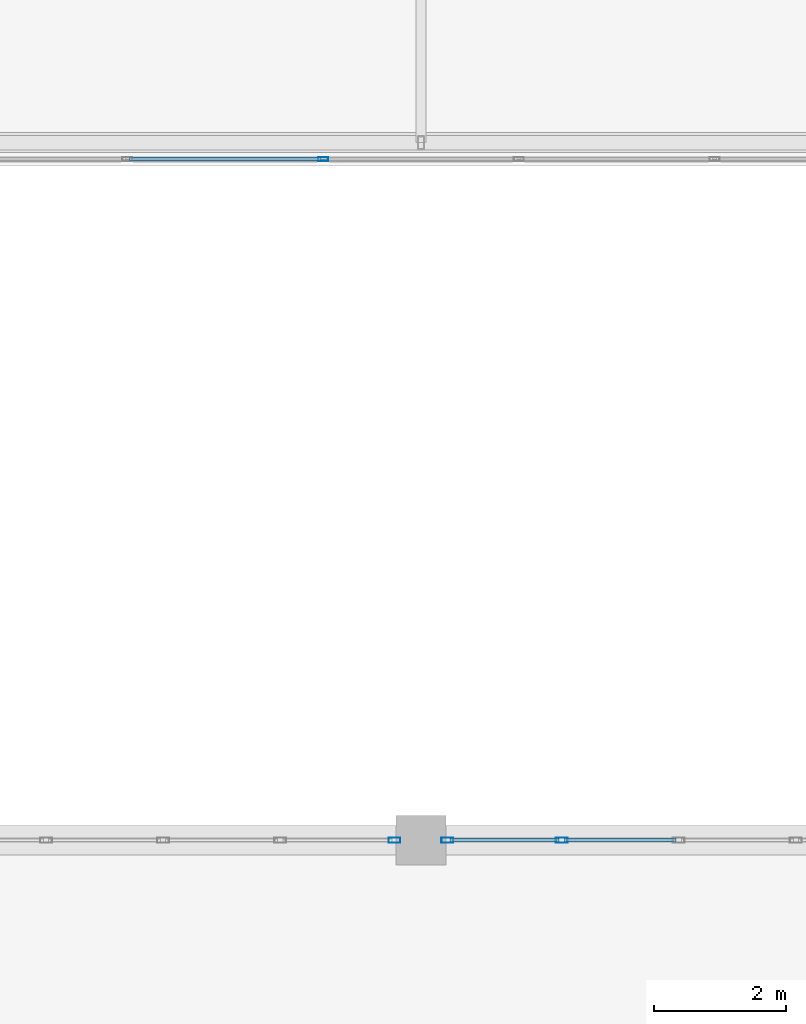
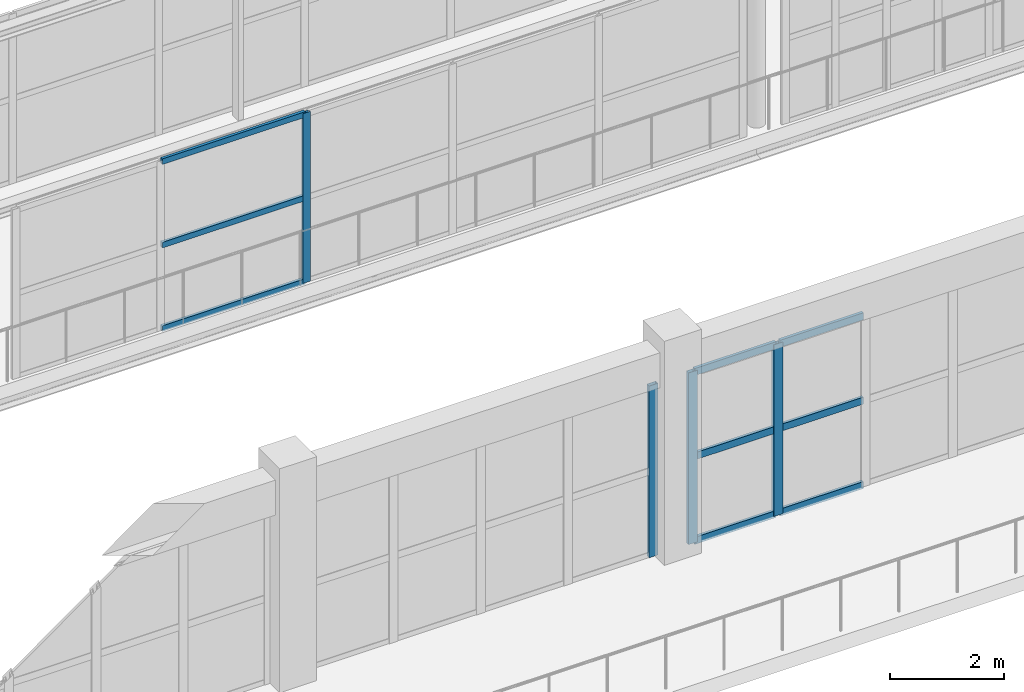
# One storey, part 51 of 175: 13 members, 3 elements without a shape of their own.
"""IFC4 building model written with IfcOpenShell, lengths in metres."""

from ifc_helpers import new_model, si_unit, direction, frame, origin, origin_2d, place, context, subcontext, project, spatial, hollow_rectangle, extrude, material, layer, layer_set, material_profile, profile_set, type_object, element, aggregate, save


model = new_model("IFC4")

# Units and contexts
model_context = context("Model", 3, precision=1e-05, world=origin(), true_north=direction((0.0, 1.0)))
body_context = subcontext(model_context, "Body", "Model", "MODEL_VIEW")
ifc_project = project(units=[si_unit("LENGTHUNIT", "METRE"), si_unit("AREAUNIT", "SQUARE_METRE"), si_unit("VOLUMEUNIT", "CUBIC_METRE"), si_unit("PLANEANGLEUNIT", "RADIAN"), si_unit("MASSUNIT", "GRAM", prefix="KILO")], contexts=[model_context])

# Site, building, storey
site_placement = place(None, origin())
site = spatial("IfcSite", under=ifc_project, at=site_placement, CompositionType="ELEMENT")
building_placement = place(site_placement, origin())
building = spatial("IfcBuilding", under=site, at=building_placement, Name="Zizhar Promenade General Hospital", CompositionType="ELEMENT")
storey_placement = place(building_placement, frame((0.0, 0.0, 4.800048828125)))
storey = spatial("IfcBuildingStorey", under=building, at=storey_placement, Name="L01", CompositionType="ELEMENT", Elevation=4.800048828125)

# Curtain wall, member
ifc_material_1 = material(Name="Anodised aluminium 6063-T6 and low-E glass", Category="aluminium")
ifc_layer_1 = layer(ifc_material_1, 0.159912109375)
ifc_layer_set_1 = layer_set([ifc_layer_1], Name="Anodised aluminium 6063-T6 and low-E glass")
curtain_wall_type_1 = type_object("IfcCurtainWallType", Name="CW-SKY-GLZ", PredefinedType="NOTDEFINED", material=ifc_layer_set_1)
curtain_wall_1_placement = place(storey_placement, origin())
curtain_wall_1 = element("IfcCurtainWall", 1, at=curtain_wall_1_placement, inside=storey, type_object=curtain_wall_type_1, Name="Courtyard Clinical Skybridge Level L01 South Glazing 3", PredefinedType="NOTDEFINED")
ifc_material_2 = material(Name="Anodised aluminium 6063-T6", Category="aluminium")
ifc_material_profile_1 = material_profile(ifc_material_2, hollow_rectangle(XDim=0.06005859375, YDim=0.14990234375, WallThickness=0.00390625, at=origin_2d()))
ifc_profile_set_1 = profile_set([ifc_material_profile_1], Name="Anodised aluminium 6063-T6")
member_type_1 = type_object("IfcMemberType", Name="CWM-ALU-150x60", PredefinedType="MULLION", material=ifc_profile_set_1)
member_1_placement = place(storey_placement, frame((107.719970703125, 60.699951171875, 0.0), z_axis=(0.0, 0.0, 1.0), x_axis=(0.0, -1.0, 0.0)))
member_1 = element("IfcMember", 2, at=member_1_placement, type_object=member_type_1, Name="CW-15 mullion 4", PredefinedType="MULLION", context=body_context, shape_type="SweptSolid", body=[
    extrude(hollow_rectangle(XDim=0.06005859375, YDim=0.14990234375, WallThickness=0.00390625, at=origin_2d()), origin(), (0.0, 0.0, 1.0), 3.639892578125),
])

ifc_material_3 = material(Name="Anodised aluminium 6063-T6 and low-E glass", Category="aluminium")
ifc_layer_2 = layer(ifc_material_3, 0.159912109375)
ifc_layer_set_2 = layer_set([ifc_layer_2], Name="Anodised aluminium 6063-T6 and low-E glass")
curtain_wall_type_2 = type_object("IfcCurtainWallType", Name="CW-HALL-N", PredefinedType="NOTDEFINED", material=ifc_layer_set_2)
curtain_wall_2_placement = place(storey_placement, origin())
curtain_wall_2 = element("IfcCurtainWall", 3, at=curtain_wall_2_placement, inside=storey, type_object=curtain_wall_type_2, Name="Main Hall Courtyard Curtain Wall L01-13", PredefinedType="NOTDEFINED")
ifc_material_4 = material(Name="Anodised aluminium 6063-T6", Category="aluminium")
ifc_material_profile_2 = material_profile(ifc_material_4, hollow_rectangle(XDim=0.080078125, YDim=0.179931640625, WallThickness=0.0048828125, at=origin_2d()))
ifc_profile_set_2 = profile_set([ifc_material_profile_2], Name="Anodised aluminium 6063-T6")
member_type_2 = type_object("IfcMemberType", Name="CWM-ALU-180x80", PredefinedType="MULLION", material=ifc_profile_set_2)
member_2_placement = place(storey_placement, frame((108.800048828125, 50.39990234375, 0.0), z_axis=(0.0, 0.0, 1.0), x_axis=(0.0, 1.0, 0.0)))
member_2 = element("IfcMember", 4, at=member_2_placement, type_object=member_type_2, Name="CW-02 mullion 5", PredefinedType="MULLION", context=body_context, shape_type="SweptSolid", body=[
    extrude(hollow_rectangle(XDim=0.080078125, YDim=0.179931640625, WallThickness=0.0048828125, at=origin_2d()), origin(), (0.0, 0.0, 1.0), 3.679931640625),
])
aggregate(curtain_wall_2, [member_2])

# Curtain wall, members
curtain_wall_3_placement = place(storey_placement, origin())
curtain_wall_3 = element("IfcCurtainWall", 5, at=curtain_wall_3_placement, inside=storey, type_object=curtain_wall_type_2, Name="Main Hall Courtyard Curtain Wall L01-14", PredefinedType="NOTDEFINED")
member_3_placement = place(storey_placement, frame((109.60009765625, 50.39990234375, 0.0), z_axis=(0.0, 0.0, 1.0), x_axis=(0.0, 1.0, 0.0)))
member_3 = element("IfcMember", 6, at=member_3_placement, type_object=member_type_2, Name="CW-02 mullion 1", PredefinedType="MULLION", context=body_context, shape_type="SweptSolid", body=[
    extrude(hollow_rectangle(XDim=0.080078125, YDim=0.179931640625, WallThickness=0.0048828125, at=origin_2d()), origin(), (0.0, 0.0, 1.0), 3.679931640625),
])
member_4_placement = place(storey_placement, frame((111.330078125, 50.39990234375, 0.0), z_axis=(0.0, 0.0, 1.0), x_axis=(0.0, 1.0, 0.0)))
member_4 = element("IfcMember", 7, at=member_4_placement, type_object=member_type_2, Name="CW-02 mullion 2", PredefinedType="MULLION", context=body_context, shape_type="SweptSolid", body=[
    extrude(hollow_rectangle(XDim=0.080078125, YDim=0.179931640625, WallThickness=0.0048828125, at=origin_2d()), origin(), (0.0, 0.0, 1.0), 3.679931640625),
])

# Member
ifc_material_5 = material(Name="Anodised aluminium 6063-T6", Category="aluminium")
ifc_material_profile_3 = material_profile(ifc_material_5, hollow_rectangle(XDim=0.06005859375, YDim=0.1201171875, WallThickness=0.00390625, at=origin_2d()))
ifc_profile_set_3 = profile_set([ifc_material_profile_3], Name="Anodised aluminium 6063-T6")
member_type_3 = type_object("IfcMemberType", Name="CWT-ALU-120x60", PredefinedType="USERDEFINED", material=ifc_profile_set_3)
member_5_placement = place(storey_placement, frame((107.68994140625, 60.699951171875, 0.030029296875), z_axis=(-1.0, 0.0, 0.0), x_axis=(0.0, -1.0, 0.0)))
member_5 = element("IfcMember", 8, at=member_5_placement, type_object=member_type_3, Name="CW-15 transom 4.1", ObjectType="TRANSOM", PredefinedType="USERDEFINED", context=body_context, shape_type="SweptSolid", body=[
    extrude(hollow_rectangle(XDim=0.06005859375, YDim=0.1201171875, WallThickness=0.00390625, at=origin_2d()), origin(), (0.0, 0.0, 1.0), 2.89990234375),
])

member_6_placement = place(storey_placement, frame((107.68994140625, 60.699951171875, 1.820068359375), z_axis=(-1.0, 0.0, 0.0), x_axis=(0.0, -1.0, 0.0)))
member_6 = element("IfcMember", 9, at=member_6_placement, type_object=member_type_3, Name="CW-15 transom 4.2", ObjectType="TRANSOM", PredefinedType="USERDEFINED", context=body_context, shape_type="SweptSolid", body=[
    extrude(hollow_rectangle(XDim=0.06005859375, YDim=0.1201171875, WallThickness=0.00390625, at=origin_2d()), origin(), (0.0, 0.0, 1.0), 2.89990234375),
])

member_7_placement = place(storey_placement, frame((107.68994140625, 60.699951171875, 3.60986328125), z_axis=(-1.0, 0.0, 0.0), x_axis=(0.0, -1.0, 0.0)))
member_7 = element("IfcMember", 10, at=member_7_placement, type_object=member_type_3, Name="CW-15 transom 4.3", ObjectType="TRANSOM", PredefinedType="USERDEFINED", context=body_context, shape_type="SweptSolid", body=[
    extrude(hollow_rectangle(XDim=0.06005859375, YDim=0.1201171875, WallThickness=0.00390625, at=origin_2d()), origin(), (0.0, 0.0, 1.0), 2.89990234375),
])

aggregate(curtain_wall_1, [member_1, member_5, member_6, member_7])

ifc_material_6 = material(Name="Anodised aluminium 6063-T6", Category="aluminium")
ifc_material_profile_4 = material_profile(ifc_material_6, hollow_rectangle(XDim=0.06005859375, YDim=0.14990234375, WallThickness=0.00390625, at=origin_2d()))
ifc_profile_set_4 = profile_set([ifc_material_profile_4], Name="Anodised aluminium 6063-T6")
member_type_4 = type_object("IfcMemberType", Name="CWT-ALU-150x60", PredefinedType="USERDEFINED", material=ifc_profile_set_4)
member_8_placement = place(storey_placement, frame((109.639892578125, 50.39990234375, 0.030029296875), z_axis=(1.0, 0.0, 0.0), x_axis=(0.0, 1.0, 0.0)))
member_8 = element("IfcMember", 11, at=member_8_placement, type_object=member_type_4, Name="CW-02 transom 1.1", ObjectType="TRANSOM", PredefinedType="USERDEFINED", context=body_context, shape_type="SweptSolid", body=[
    extrude(hollow_rectangle(XDim=0.06005859375, YDim=0.14990234375, WallThickness=0.00390625, at=origin_2d()), origin(), (0.0, 0.0, 1.0), 1.650146484375),
])

member_9_placement = place(storey_placement, frame((109.639892578125, 50.39990234375, 1.83984375), z_axis=(1.0, 0.0, 0.0), x_axis=(0.0, 1.0, 0.0)))
member_9 = element("IfcMember", 12, at=member_9_placement, type_object=member_type_4, Name="CW-02 transom 1.2", ObjectType="TRANSOM", PredefinedType="USERDEFINED", context=body_context, shape_type="SweptSolid", body=[
    extrude(hollow_rectangle(XDim=0.06005859375, YDim=0.14990234375, WallThickness=0.00390625, at=origin_2d()), origin(), (0.0, 0.0, 1.0), 1.650146484375),
])

member_10_placement = place(storey_placement, frame((109.639892578125, 50.39990234375, 3.64990234375), z_axis=(1.0, 0.0, 0.0), x_axis=(0.0, 1.0, 0.0)))
member_10 = element("IfcMember", 13, at=member_10_placement, type_object=member_type_4, Name="CW-02 transom 1.3", ObjectType="TRANSOM", PredefinedType="USERDEFINED", context=body_context, shape_type="SweptSolid", body=[
    extrude(hollow_rectangle(XDim=0.06005859375, YDim=0.14990234375, WallThickness=0.00390625, at=origin_2d()), origin(), (0.0, 0.0, 1.0), 1.650146484375),
])

member_11_placement = place(storey_placement, frame((111.3701171875, 50.39990234375, 0.030029296875), z_axis=(1.0, 0.0, 0.0), x_axis=(0.0, 1.0, 0.0)))
member_11 = element("IfcMember", 14, at=member_11_placement, type_object=member_type_4, Name="CW-02 transom 2.1", ObjectType="TRANSOM", PredefinedType="USERDEFINED", context=body_context, shape_type="SweptSolid", body=[
    extrude(hollow_rectangle(XDim=0.06005859375, YDim=0.14990234375, WallThickness=0.00390625, at=origin_2d()), origin(), (0.0, 0.0, 1.0), 1.68994140625),
])

member_12_placement = place(storey_placement, frame((111.3701171875, 50.39990234375, 1.83984375), z_axis=(1.0, 0.0, 0.0), x_axis=(0.0, 1.0, 0.0)))
member_12 = element("IfcMember", 15, at=member_12_placement, type_object=member_type_4, Name="CW-02 transom 2.2", ObjectType="TRANSOM", PredefinedType="USERDEFINED", context=body_context, shape_type="SweptSolid", body=[
    extrude(hollow_rectangle(XDim=0.06005859375, YDim=0.14990234375, WallThickness=0.00390625, at=origin_2d()), origin(), (0.0, 0.0, 1.0), 1.68994140625),
])

member_13_placement = place(storey_placement, frame((111.3701171875, 50.39990234375, 3.64990234375), z_axis=(1.0, 0.0, 0.0), x_axis=(0.0, 1.0, 0.0)))
member_13 = element("IfcMember", 16, at=member_13_placement, type_object=member_type_4, Name="CW-02 transom 2.3", ObjectType="TRANSOM", PredefinedType="USERDEFINED", context=body_context, shape_type="SweptSolid", body=[
    extrude(hollow_rectangle(XDim=0.06005859375, YDim=0.14990234375, WallThickness=0.00390625, at=origin_2d()), origin(), (0.0, 0.0, 1.0), 1.68994140625),
])

aggregate(curtain_wall_3, [member_3, member_4, member_8, member_9, member_10, member_11, member_12, member_13])

save(model, "model.ifc")
